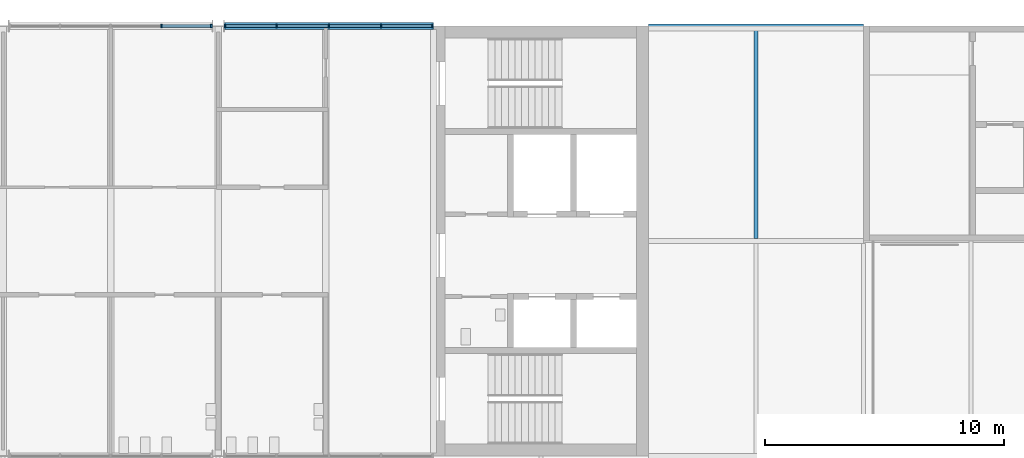
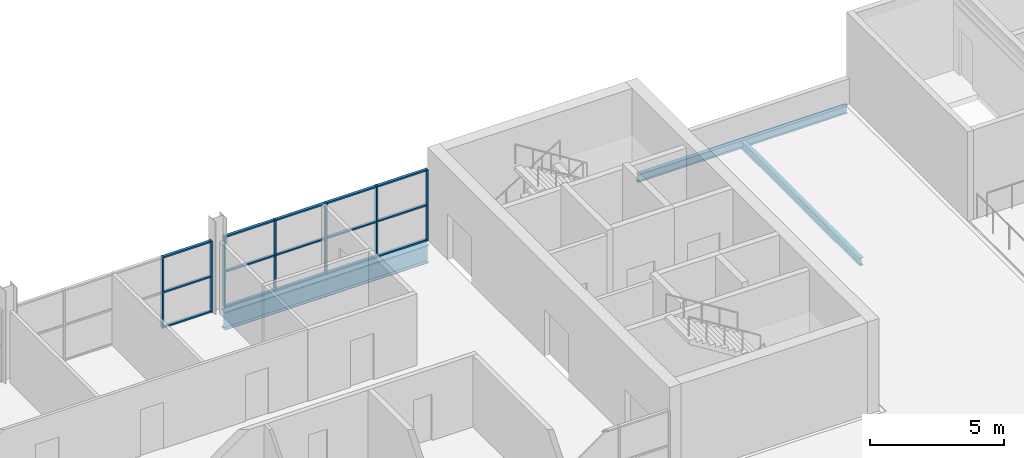
# One storey, part 18 of 50: 22 members, 3 beams, 2 elements without a shape of their own.
"""IFC4 building model written with IfcOpenShell, lengths in metres."""

import ifcopenshell
import ifcopenshell.guid

model = None  # the IFC model being written
_history = None  # IfcOwnerHistory: only IFC2X3 demands one
_inside = {}  # id of a spatial element -> (the spatial element, [elements in it])
_under = {}  # id of a project, library or spatial element -> (it, [spatial elements below it])
_declared = {}  # id of a project -> (the project, [libraries it declares])
_typed = {}  # id of a type object -> (the type object, [elements of that type])
_made_of = {}  # id of a material, layer set ... -> (it, [elements and type objects made of it])


def new_model(schema):
    """Start an empty IFC model of exactly this schema.

    Asked for "IFC4X3", IfcOpenShell would pick the latest addendum, in which some entities
    have other attributes; the version numbers below select the first issue.
    IFC2X3 requires an IfcOwnerHistory on every rooted entity: one is made here for all.
    """
    global model, _history
    if schema == "IFC4X3":
        model = ifcopenshell.file(schema_version=(4, 3, 0, 0))
    else:
        model = ifcopenshell.file(schema=schema)
    _inside.clear()
    _under.clear()
    _declared.clear()
    _typed.clear()
    _made_of.clear()
    _history = None
    if model.schema == "IFC2X3":
        org = make("IfcOrganization", Name="unknown")
        user = make(
            "IfcPersonAndOrganization",
            ThePerson=make("IfcPerson", FamilyName="unknown"),
            TheOrganization=org,
        )
        app = make(
            "IfcApplication",
            ApplicationDeveloper=org,
            Version="unknown",
            ApplicationFullName="unknown",
            ApplicationIdentifier="unknown",
        )
        _history = make(
            "IfcOwnerHistory",
            OwningUser=user,
            OwningApplication=app,
            ChangeAction="ADDED",
            CreationDate=0,
        )
    return model


def make(cls, **values):
    """One entity of the class cls with the attributes given. An attribute that is None is left unset."""
    return model.create_entity(
        cls, **{name: value for name, value in values.items() if value is not None}
    )


def rooted(cls, **values):
    """An entity with a GlobalId (a new one), such as an element, a storey or a relation."""
    return make(cls, GlobalId=ifcopenshell.guid.new(), OwnerHistory=_history, **values)


def si_unit(unit_type, name, prefix=None):
    """IfcSIUnit, for example si_unit("LENGTHUNIT", "METRE", prefix="MILLI")."""
    return make("IfcSIUnit", UnitType=unit_type, Prefix=prefix, Name=name)


def assignment(units):
    """IfcUnitAssignment: the units of a project."""
    return None if units is None else make("IfcUnitAssignment", Units=units)


def point(xyz):
    """IfcCartesianPoint."""
    return None if xyz is None else make("IfcCartesianPoint", Coordinates=xyz)


def direction(xyz):
    """IfcDirection."""
    return None if xyz is None else make("IfcDirection", DirectionRatios=xyz)


def frame(location, z_axis=None, x_axis=None):
    """IfcAxis2Placement3D, a coordinate frame: its origin and axes. An axis left out is left unset."""
    return make(
        "IfcAxis2Placement3D",
        Location=point(location),
        Axis=direction(z_axis),
        RefDirection=direction(x_axis),
    )


def frame_2d(location, x_axis=None):
    """IfcAxis2Placement2D, a coordinate frame in the plane: its origin and x axis."""
    return make(
        "IfcAxis2Placement2D", Location=point(location), RefDirection=direction(x_axis)
    )


def origin():
    """The frame at (0, 0, 0) with its axes left unset."""
    return frame((0.0, 0.0, 0.0))


def origin_2d():
    """The frame at (0, 0) in the plane with its x axis left unset."""
    return frame_2d((0.0, 0.0))


def place(relative_to, where):
    """IfcLocalPlacement: puts the frame where relative to a parent placement (None: the world)."""
    return make(
        "IfcLocalPlacement", PlacementRelTo=relative_to, RelativePlacement=where
    )


def context(
    kind, dimensions, precision=None, world=None, true_north=None, identifier=None
):
    """IfcGeometricRepresentationContext, for example the 3D "Model" context."""
    return make(
        "IfcGeometricRepresentationContext",
        ContextIdentifier=identifier,
        ContextType=kind,
        CoordinateSpaceDimension=dimensions,
        Precision=precision,
        WorldCoordinateSystem=world,
        TrueNorth=true_north,
    )


def subcontext(parent, identifier, kind, view, scale=None):
    """IfcGeometricRepresentationSubContext, for example "Body" below "Model"."""
    return make(
        "IfcGeometricRepresentationSubContext",
        ContextIdentifier=identifier,
        ContextType=kind,
        ParentContext=parent,
        TargetScale=scale,
        TargetView=view,
    )


def project(units=None, contexts=None):
    """IfcProject with its units and contexts."""
    return rooted(
        "IfcProject",
        Name="project",
        RepresentationContexts=contexts,
        UnitsInContext=assignment(units),
    )


def spatial(cls, under=None, at=None, **own):
    """A site, building, storey or space (cls), placed at a placement, below another one or the project."""
    s = rooted(cls, ObjectPlacement=at, **own)
    if under is not None:
        _under.setdefault(under.id(), (under, []))[1].append(s)
    return s


def profile(cls, at=None, kind="AREA", **sizes):
    """A parametric profile (cls). Its sizes go by their IFC names, for example OverallWidth=200.0."""
    return make(cls, ProfileType=kind, Position=at, **sizes)


def rectangle(**sizes):
    """IfcRectangleProfileDef."""
    return profile("IfcRectangleProfileDef", **sizes)


def i_section(**sizes):
    """IfcIShapeProfileDef."""
    return profile("IfcIShapeProfileDef", **sizes)


def extrude(swept, where, along, depth):
    """IfcExtrudedAreaSolid: the profile swept, set in the frame where, extruded along a direction by depth."""
    return make(
        "IfcExtrudedAreaSolid",
        SweptArea=swept,
        Position=where,
        ExtrudedDirection=direction(along),
        Depth=depth,
    )


def shape(context_of_items, identifier, shape_type, items):
    """IfcShapeRepresentation: the items that make up one representation, for example the "Body"."""
    return make(
        "IfcShapeRepresentation",
        ContextOfItems=context_of_items,
        RepresentationIdentifier=identifier,
        RepresentationType=shape_type,
        Items=items,
    )


def material(Name=None, Category=None):
    """IfcMaterial."""
    return make("IfcMaterial", Name=Name, Category=Category)


def layer(
    of_material, thickness, ventilated=None, Name=None, Category=None, Priority=None
):
    """IfcMaterialLayer: one layer of a wall or slab, of a material (None: an air gap)."""
    return make(
        "IfcMaterialLayer",
        Material=of_material,
        LayerThickness=thickness,
        IsVentilated=ventilated,
        Name=Name,
        Category=Category,
        Priority=Priority,
    )


def layer_set(layers, Name=None):
    """IfcMaterialLayerSet."""
    return make("IfcMaterialLayerSet", MaterialLayers=layers, LayerSetName=Name)


def material_profile(
    of_material, cross_section, Name=None, Category=None, Priority=None
):
    """IfcMaterialProfile: a cross section and its material."""
    return make(
        "IfcMaterialProfile",
        Name=Name,
        Material=of_material,
        Profile=cross_section,
        Priority=Priority,
        Category=Category,
    )


def profile_set(profiles, Name=None, composite=None):
    """IfcMaterialProfileSet."""
    return make(
        "IfcMaterialProfileSet",
        Name=Name,
        MaterialProfiles=profiles,
        CompositeProfile=composite,
    )


def made_of(thing, what):
    """Note that an element or type object is made of a material, layer set ...; save() writes the relation."""
    if what is not None:
        _made_of.setdefault(what.id(), (what, []))[1].append(thing)
    return thing


def type_object(cls, material=None, **own):
    """A type object (cls), such as IfcWallType, which elements share."""
    return made_of(rooted(cls, **own), material)


def element(
    cls,
    number,
    at=None,
    inside=None,
    cuts=None,
    type_object=None,
    material=None,
    context=None,
    identifier="Body",
    shape_type=None,
    held_by="IfcProductDefinitionShape",
    body=None,
    shapes=None,
    **own,
):
    """One element of the class cls, such as IfcWall. Its Tag is "e" and its number.

    at: its placement. inside: the storey or other place that contains it. cuts: it is an
    opening in that element (IfcRelVoidsElement). A single representation is given by context,
    identifier, shape_type and body (its items); several are given by shapes. held_by: the class
    of the entity that holds the representations. save() writes the other relations.
    """
    e = rooted(cls, Tag="e%d" % number, ObjectPlacement=at, **own)
    if body is not None:
        shapes = [shape(context, identifier, shape_type, body)]
    if shapes is not None:
        e.Representation = make(held_by, Representations=shapes)
    if inside is not None:
        _inside.setdefault(inside.id(), (inside, []))[1].append(e)
    if cuts is not None:
        rooted(
            "IfcRelVoidsElement", RelatingBuildingElement=cuts, RelatedOpeningElement=e
        )
    if type_object is not None:
        _typed.setdefault(type_object.id(), (type_object, []))[1].append(e)
    return made_of(e, material)


def aggregate(whole, parts):
    """IfcRelAggregates: a whole, such as a stair, and the parts it consists of."""
    return rooted("IfcRelAggregates", RelatingObject=whole, RelatedObjects=parts)


def save(model, path):
    """Write the relations noted so far, then the file.

    IfcRelAggregates (storeys below a building ...), IfcRelContainedInSpatialStructure (elements
    in a storey), IfcRelDefinesByType, IfcRelAssociatesMaterial and IfcRelDeclares: one each for
    every whole, place, type object, material and project.
    """
    for whole, parts in _under.values():
        aggregate(whole, parts)
    for where, things in _inside.values():
        rooted(
            "IfcRelContainedInSpatialStructure",
            RelatedElements=things,
            RelatingStructure=where,
        )
    for kind, things in _typed.values():
        rooted("IfcRelDefinesByType", RelatedObjects=things, RelatingType=kind)
    for what, things in _made_of.values():
        rooted("IfcRelAssociatesMaterial", RelatedObjects=things, RelatingMaterial=what)
    for by, libraries in _declared.values():
        rooted("IfcRelDeclares", RelatingContext=by, RelatedDefinitions=libraries)
    model.write(path)


model = new_model("IFC4")

# Units and contexts
model_context = context("Model", 3, precision=1e-05, world=origin(), true_north=direction((0.0, 1.0)))
body_context = subcontext(model_context, "Body", "Model", "MODEL_VIEW")
ifc_project = project(units=[si_unit("LENGTHUNIT", "METRE"), si_unit("AREAUNIT", "SQUARE_METRE"), si_unit("VOLUMEUNIT", "CUBIC_METRE"), si_unit("PLANEANGLEUNIT", "RADIAN"), si_unit("MASSUNIT", "GRAM", prefix="KILO")], contexts=[model_context])

# Site, building, storey
site_placement = place(None, origin())
site = spatial("IfcSite", under=ifc_project, at=site_placement, CompositionType="ELEMENT")
building_placement = place(site_placement, origin())
building = spatial("IfcBuilding", under=site, at=building_placement, Name="Corbel Yard City Hall", CompositionType="ELEMENT")
storey_placement = place(building_placement, frame((0.0, 0.0, 15.0)))
storey = spatial("IfcBuildingStorey", under=building, at=storey_placement, Name="L03", CompositionType="ELEMENT", Elevation=15.0)

# Beams
ifc_material_1 = material(Name="Steel Grade 300 (300 MPa yield)", Category="steel")
ifc_material_profile_1 = material_profile(ifc_material_1, i_section(OverallWidth=0.172119140625, OverallDepth=0.35888671875, WebThickness=0.008056640625, FlangeThickness=0.012939453125, at=origin_2d()), Name="360UB56.7")
ifc_profile_set_1 = profile_set([ifc_material_profile_1], Name="Steel Grade 300 (300 MPa yield)")
beam_type_1 = type_object("IfcBeamType", Name="Edge beam 360UB56.7", PredefinedType="BEAM", material=ifc_profile_set_1)
beam_1_placement = place(storey_placement, frame((54.0, 117.0, -0.32958984375), z_axis=(1.0, 0.0, 0.0), x_axis=(0.0, 1.0, 0.0)))
element("IfcBeam", 1, at=beam_1_placement, inside=storey, type_object=beam_type_1, Name="Edge beam 360UB56.7 EB4 L03roof", PredefinedType="BEAM", context=body_context, shape_type="SweptSolid", body=[
    extrude(i_section(OverallWidth=0.172119140625, OverallDepth=0.35888671875, WebThickness=0.008056640625, FlangeThickness=0.012939453125, at=origin_2d()), origin(), (0.0, 0.0, 1.0), 9.0),
])
ifc_material_2 = material(Name="Steel Grade 350", Category="steel")
ifc_material_profile_2 = material_profile(ifc_material_2, i_section(OverallWidth=0.27490234375, OverallDepth=0.81005859375, WebThickness=0.010009765625, FlangeThickness=0.02490234375, at=origin_2d()), Name="800WB168")
ifc_profile_set_2 = profile_set([ifc_material_profile_2], Name="Steel Grade 350")
beam_type_2 = type_object("IfcBeamType", Name="Edge beam 800WB168", PredefinedType="BEAM", material=ifc_profile_set_2)
beam_2_placement = place(storey_placement, frame((36.239990234375, 117.0, -0.554931640625), z_axis=(1.0, 0.0, 0.0), x_axis=(0.0, 1.0, 0.0)))
element("IfcBeam", 2, at=beam_2_placement, inside=storey, type_object=beam_type_2, Name="Edge beam 800WB168 EB3 L03tower", PredefinedType="BEAM", context=body_context, shape_type="SweptSolid", body=[
    extrude(i_section(OverallWidth=0.27490234375, OverallDepth=0.81005859375, WebThickness=0.010009765625, FlangeThickness=0.02490234375, at=origin_2d()), origin(), (0.0, 0.0, 1.0), 8.760009765625),
])

# Curtain wall, members
ifc_material_3 = material(Name="Aluminium extrusion", Category="aluminium")
ifc_layer = layer(ifc_material_3, 0.14990234375)
ifc_layer_set = layer_set([ifc_layer], Name="Aluminium extrusion")
curtain_wall_type = type_object("IfcCurtainWallType", Name="CW2", PredefinedType="USERDEFINED", material=ifc_layer_set)
curtain_wall_1_placement = place(storey_placement, origin())
curtain_wall_1 = element("IfcCurtainWall", 3, at=curtain_wall_1_placement, inside=storey, type_object=curtain_wall_type, Name="Curtain wall CW2 L03", ObjectType="CURTAIN WALL", PredefinedType="USERDEFINED")
ifc_material_profile_3 = material_profile(ifc_material_3, rectangle(XDim=0.14990234375, YDim=0.06494140625, at=origin_2d()), Name="150x65")
ifc_profile_set_3 = profile_set([ifc_material_profile_3], Name="Aluminium extrusion")
member_type_1 = type_object("IfcMemberType", Name="ML2", PredefinedType="MULLION", material=ifc_profile_set_3)
member_1_placement = place(storey_placement, frame((33.62158203125, 117.0, 0.0), z_axis=(0.0, 0.0, 1.0), x_axis=(0.0, 1.0, 0.0)))
member_1 = element("IfcMember", 4, at=member_1_placement, type_object=member_type_1, Name="CW2 mullion 4", PredefinedType="MULLION", context=body_context, shape_type="SweptSolid", body=[
    extrude(rectangle(XDim=0.14990234375, YDim=0.06494140625, at=origin_2d()), origin(), (0.0, 0.0, 1.0), 3.239990234375),
])
member_2_placement = place(storey_placement, frame((35.71044921875, 117.0, 0.0), z_axis=(0.0, 0.0, 1.0), x_axis=(0.0, 1.0, 0.0)))
member_2 = element("IfcMember", 5, at=member_2_placement, type_object=member_type_1, Name="CW2 mullion 5", PredefinedType="MULLION", context=body_context, shape_type="SweptSolid", body=[
    extrude(rectangle(XDim=0.14990234375, YDim=0.06494140625, at=origin_2d()), origin(), (0.0, 0.0, 1.0), 3.239990234375),
])

curtain_wall_2_placement = place(storey_placement, origin())
curtain_wall_2 = element("IfcCurtainWall", 6, at=curtain_wall_2_placement, inside=storey, type_object=curtain_wall_type, Name="Curtain wall CW2 L03", ObjectType="CURTAIN WALL", PredefinedType="USERDEFINED")
member_3_placement = place(storey_placement, frame((36.28955078125, 117.0, 0.0), z_axis=(0.0, 0.0, 1.0), x_axis=(0.0, 1.0, 0.0)))
member_3 = element("IfcMember", 7, at=member_3_placement, type_object=member_type_1, Name="CW2 mullion 1", PredefinedType="MULLION", context=body_context, shape_type="SweptSolid", body=[
    extrude(rectangle(XDim=0.14990234375, YDim=0.06494140625, at=origin_2d()), origin(), (0.0, 0.0, 1.0), 3.239990234375),
])
member_4_placement = place(storey_placement, frame((38.44287109375, 117.0, 0.0), z_axis=(0.0, 0.0, 1.0), x_axis=(0.0, 1.0, 0.0)))
member_4 = element("IfcMember", 8, at=member_4_placement, type_object=member_type_1, Name="CW2 mullion 2", PredefinedType="MULLION", context=body_context, shape_type="SweptSolid", body=[
    extrude(rectangle(XDim=0.14990234375, YDim=0.06494140625, at=origin_2d()), origin(), (0.0, 0.0, 1.0), 3.239990234375),
])
member_5_placement = place(storey_placement, frame((40.62841796875, 117.0, 0.0), z_axis=(0.0, 0.0, 1.0), x_axis=(0.0, 1.0, 0.0)))
member_5 = element("IfcMember", 9, at=member_5_placement, type_object=member_type_1, Name="CW2 mullion 3", PredefinedType="MULLION", context=body_context, shape_type="SweptSolid", body=[
    extrude(rectangle(XDim=0.14990234375, YDim=0.06494140625, at=origin_2d()), origin(), (0.0, 0.0, 1.0), 3.239990234375),
])
member_6_placement = place(storey_placement, frame((42.814208984375, 117.0, 0.0), z_axis=(0.0, 0.0, 1.0), x_axis=(0.0, 1.0, 0.0)))
member_6 = element("IfcMember", 10, at=member_6_placement, type_object=member_type_1, Name="CW2 mullion 4", PredefinedType="MULLION", context=body_context, shape_type="SweptSolid", body=[
    extrude(rectangle(XDim=0.14990234375, YDim=0.06494140625, at=origin_2d()), origin(), (0.0, 0.0, 1.0), 3.239990234375),
])
member_7_placement = place(storey_placement, frame((44.967529296875, 117.0, 0.0), z_axis=(0.0, 0.0, 1.0), x_axis=(0.0, 1.0, 0.0)))
member_7 = element("IfcMember", 11, at=member_7_placement, type_object=member_type_1, Name="CW2 mullion 5", PredefinedType="MULLION", context=body_context, shape_type="SweptSolid", body=[
    extrude(rectangle(XDim=0.14990234375, YDim=0.06494140625, at=origin_2d()), origin(), (0.0, 0.0, 1.0), 3.239990234375),
])

# Beam
ifc_material_profile_4 = material_profile(ifc_material_1, i_section(OverallWidth=0.1708984375, OverallDepth=0.35205078125, WebThickness=0.0068359375, FlangeThickness=0.009765625, at=origin_2d()), Name="360UB44.7")
ifc_profile_set_4 = profile_set([ifc_material_profile_4], Name="Steel Grade 300 (300 MPa yield)")
beam_type_3 = type_object("IfcBeamType", Name="Secondary beam 360UB44.7", PredefinedType="JOIST", material=ifc_profile_set_4)
beam_3_placement = place(storey_placement, frame((58.5, 108.1044921875, -0.325927734375), z_axis=(0.0, 1.0, 0.0), x_axis=(-1.0, 0.0, 0.0)))
element("IfcBeam", 12, at=beam_3_placement, inside=storey, type_object=beam_type_3, Name="Secondary beam 360UB44.7 SB11 L03roof", PredefinedType="JOIST", context=body_context, shape_type="SweptSolid", body=[
    extrude(i_section(OverallWidth=0.1708984375, OverallDepth=0.35205078125, WebThickness=0.0068359375, FlangeThickness=0.009765625, at=origin_2d()), origin(), (0.0, 0.0, 1.0), 8.8095703125),
])

# Member
ifc_material_profile_5 = material_profile(ifc_material_3, rectangle(XDim=0.1201171875, YDim=0.06494140625, at=origin_2d()), Name="120x65")
ifc_profile_set_5 = profile_set([ifc_material_profile_5], Name="Aluminium extrusion")
member_type_2 = type_object("IfcMemberType", Name="TR2", PredefinedType="USERDEFINED", material=ifc_profile_set_5)
member_8_placement = place(storey_placement, frame((33.654052734375, 117.0, 0.032470703125), z_axis=(1.0, 0.0, 0.0), x_axis=(0.0, 1.0, 0.0)))
member_8 = element("IfcMember", 13, at=member_8_placement, type_object=member_type_2, Name="CW2 transom 4.1", ObjectType="TRANSOM", PredefinedType="USERDEFINED", context=body_context, shape_type="SweptSolid", body=[
    extrude(rectangle(XDim=0.1201171875, YDim=0.06494140625, at=origin_2d()), origin(), (0.0, 0.0, 1.0), 2.02392578125),
])

member_9_placement = place(storey_placement, frame((33.654052734375, 117.0, 1.6201171875), z_axis=(1.0, 0.0, 0.0), x_axis=(0.0, 1.0, 0.0)))
member_9 = element("IfcMember", 14, at=member_9_placement, type_object=member_type_2, Name="CW2 transom 4.2", ObjectType="TRANSOM", PredefinedType="USERDEFINED", context=body_context, shape_type="SweptSolid", body=[
    extrude(rectangle(XDim=0.1201171875, YDim=0.06494140625, at=origin_2d()), origin(), (0.0, 0.0, 1.0), 2.02392578125),
])

member_10_placement = place(storey_placement, frame((33.654052734375, 117.0, 3.20751953125), z_axis=(1.0, 0.0, 0.0), x_axis=(0.0, 1.0, 0.0)))
member_10 = element("IfcMember", 15, at=member_10_placement, type_object=member_type_2, Name="CW2 transom 4.3", ObjectType="TRANSOM", PredefinedType="USERDEFINED", context=body_context, shape_type="SweptSolid", body=[
    extrude(rectangle(XDim=0.1201171875, YDim=0.06494140625, at=origin_2d()), origin(), (0.0, 0.0, 1.0), 2.02392578125),
])

aggregate(curtain_wall_1, [member_1, member_2, member_8, member_9, member_10])

member_11_placement = place(storey_placement, frame((36.322021484375, 117.0, 0.032470703125), z_axis=(1.0, 0.0, 0.0), x_axis=(0.0, 1.0, 0.0)))
member_11 = element("IfcMember", 16, at=member_11_placement, type_object=member_type_2, Name="CW2 transom 1.1", ObjectType="TRANSOM", PredefinedType="USERDEFINED", context=body_context, shape_type="SweptSolid", body=[
    extrude(rectangle(XDim=0.1201171875, YDim=0.06494140625, at=origin_2d()), origin(), (0.0, 0.0, 1.0), 2.088134765625),
])

member_12_placement = place(storey_placement, frame((36.322021484375, 117.0, 1.6201171875), z_axis=(1.0, 0.0, 0.0), x_axis=(0.0, 1.0, 0.0)))
member_12 = element("IfcMember", 17, at=member_12_placement, type_object=member_type_2, Name="CW2 transom 1.2", ObjectType="TRANSOM", PredefinedType="USERDEFINED", context=body_context, shape_type="SweptSolid", body=[
    extrude(rectangle(XDim=0.1201171875, YDim=0.06494140625, at=origin_2d()), origin(), (0.0, 0.0, 1.0), 2.088134765625),
])

member_13_placement = place(storey_placement, frame((36.322021484375, 117.0, 3.20751953125), z_axis=(1.0, 0.0, 0.0), x_axis=(0.0, 1.0, 0.0)))
member_13 = element("IfcMember", 18, at=member_13_placement, type_object=member_type_2, Name="CW2 transom 1.3", ObjectType="TRANSOM", PredefinedType="USERDEFINED", context=body_context, shape_type="SweptSolid", body=[
    extrude(rectangle(XDim=0.1201171875, YDim=0.06494140625, at=origin_2d()), origin(), (0.0, 0.0, 1.0), 2.088134765625),
])

member_14_placement = place(storey_placement, frame((38.475341796875, 117.0, 0.032470703125), z_axis=(1.0, 0.0, 0.0), x_axis=(0.0, 1.0, 0.0)))
member_14 = element("IfcMember", 19, at=member_14_placement, type_object=member_type_2, Name="CW2 transom 2.1", ObjectType="TRANSOM", PredefinedType="USERDEFINED", context=body_context, shape_type="SweptSolid", body=[
    extrude(rectangle(XDim=0.1201171875, YDim=0.06494140625, at=origin_2d()), origin(), (0.0, 0.0, 1.0), 2.12060546875),
])

member_15_placement = place(storey_placement, frame((38.475341796875, 117.0, 1.6201171875), z_axis=(1.0, 0.0, 0.0), x_axis=(0.0, 1.0, 0.0)))
member_15 = element("IfcMember", 20, at=member_15_placement, type_object=member_type_2, Name="CW2 transom 2.2", ObjectType="TRANSOM", PredefinedType="USERDEFINED", context=body_context, shape_type="SweptSolid", body=[
    extrude(rectangle(XDim=0.1201171875, YDim=0.06494140625, at=origin_2d()), origin(), (0.0, 0.0, 1.0), 2.12060546875),
])

member_16_placement = place(storey_placement, frame((38.475341796875, 117.0, 3.20751953125), z_axis=(1.0, 0.0, 0.0), x_axis=(0.0, 1.0, 0.0)))
member_16 = element("IfcMember", 21, at=member_16_placement, type_object=member_type_2, Name="CW2 transom 2.3", ObjectType="TRANSOM", PredefinedType="USERDEFINED", context=body_context, shape_type="SweptSolid", body=[
    extrude(rectangle(XDim=0.1201171875, YDim=0.06494140625, at=origin_2d()), origin(), (0.0, 0.0, 1.0), 2.12060546875),
])

member_17_placement = place(storey_placement, frame((40.660888671875, 117.0, 0.032470703125), z_axis=(1.0, 0.0, 0.0), x_axis=(0.0, 1.0, 0.0)))
member_17 = element("IfcMember", 22, at=member_17_placement, type_object=member_type_2, Name="CW2 transom 3.1", ObjectType="TRANSOM", PredefinedType="USERDEFINED", context=body_context, shape_type="SweptSolid", body=[
    extrude(rectangle(XDim=0.1201171875, YDim=0.06494140625, at=origin_2d()), origin(), (0.0, 0.0, 1.0), 2.120849609375),
])

member_18_placement = place(storey_placement, frame((40.660888671875, 117.0, 1.6201171875), z_axis=(1.0, 0.0, 0.0), x_axis=(0.0, 1.0, 0.0)))
member_18 = element("IfcMember", 23, at=member_18_placement, type_object=member_type_2, Name="CW2 transom 3.2", ObjectType="TRANSOM", PredefinedType="USERDEFINED", context=body_context, shape_type="SweptSolid", body=[
    extrude(rectangle(XDim=0.1201171875, YDim=0.06494140625, at=origin_2d()), origin(), (0.0, 0.0, 1.0), 2.120849609375),
])

member_19_placement = place(storey_placement, frame((40.660888671875, 117.0, 3.20751953125), z_axis=(1.0, 0.0, 0.0), x_axis=(0.0, 1.0, 0.0)))
member_19 = element("IfcMember", 24, at=member_19_placement, type_object=member_type_2, Name="CW2 transom 3.3", ObjectType="TRANSOM", PredefinedType="USERDEFINED", context=body_context, shape_type="SweptSolid", body=[
    extrude(rectangle(XDim=0.1201171875, YDim=0.06494140625, at=origin_2d()), origin(), (0.0, 0.0, 1.0), 2.120849609375),
])

member_20_placement = place(storey_placement, frame((42.8466796875, 117.0, 0.032470703125), z_axis=(1.0, 0.0, 0.0), x_axis=(0.0, 1.0, 0.0)))
member_20 = element("IfcMember", 25, at=member_20_placement, type_object=member_type_2, Name="CW2 transom 4.1", ObjectType="TRANSOM", PredefinedType="USERDEFINED", context=body_context, shape_type="SweptSolid", body=[
    extrude(rectangle(XDim=0.1201171875, YDim=0.06494140625, at=origin_2d()), origin(), (0.0, 0.0, 1.0), 2.08837890625),
])

member_21_placement = place(storey_placement, frame((42.8466796875, 117.0, 1.6201171875), z_axis=(1.0, 0.0, 0.0), x_axis=(0.0, 1.0, 0.0)))
member_21 = element("IfcMember", 26, at=member_21_placement, type_object=member_type_2, Name="CW2 transom 4.2", ObjectType="TRANSOM", PredefinedType="USERDEFINED", context=body_context, shape_type="SweptSolid", body=[
    extrude(rectangle(XDim=0.1201171875, YDim=0.06494140625, at=origin_2d()), origin(), (0.0, 0.0, 1.0), 2.08837890625),
])

member_22_placement = place(storey_placement, frame((42.8466796875, 117.0, 3.20751953125), z_axis=(1.0, 0.0, 0.0), x_axis=(0.0, 1.0, 0.0)))
member_22 = element("IfcMember", 27, at=member_22_placement, type_object=member_type_2, Name="CW2 transom 4.3", ObjectType="TRANSOM", PredefinedType="USERDEFINED", context=body_context, shape_type="SweptSolid", body=[
    extrude(rectangle(XDim=0.1201171875, YDim=0.06494140625, at=origin_2d()), origin(), (0.0, 0.0, 1.0), 2.08837890625),
])

aggregate(curtain_wall_2, [member_3, member_4, member_5, member_6, member_7, member_11, member_12, member_13, member_14, member_15, member_16, member_17, member_18, member_19, member_20, member_21, member_22])

save(model, "model.ifc")
